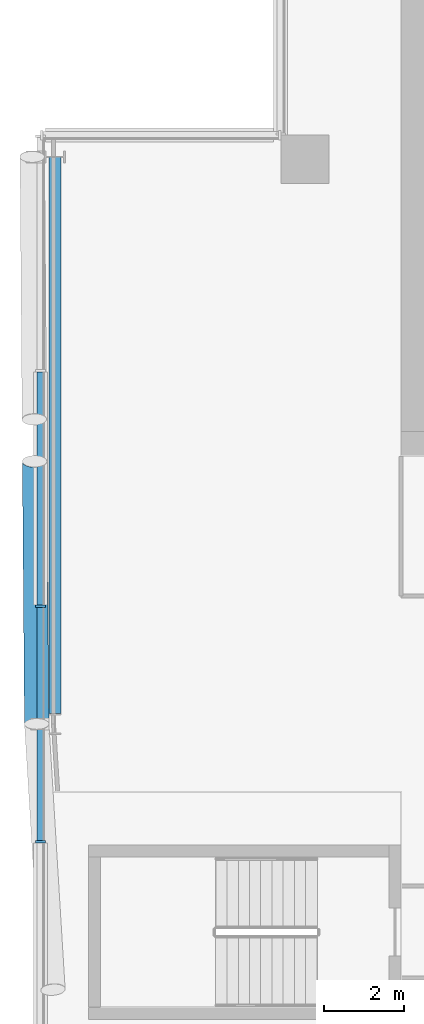
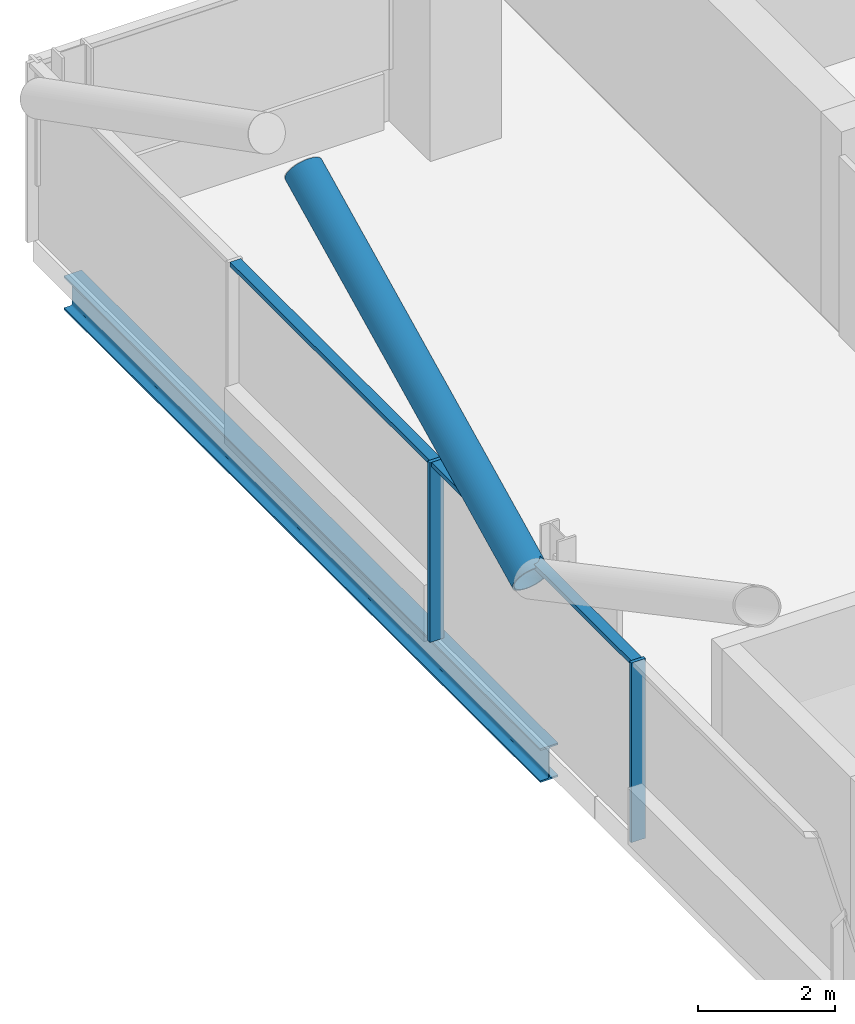
# One storey, part 7 of 28: 5 members, 1 beam, 1 element without a shape of its own.
"""IFC4 building model written with IfcOpenShell, lengths in metres."""

from ifc_helpers import new_model, si_unit, direction, frame, origin, origin_2d, place, context, subcontext, project, spatial, rectangle, hollow_circle, i_section, extrude, material, material_profile, profile_set, type_object, element, aggregate, save


model = new_model("IFC4")

# Units and contexts
model_context = context("Model", 3, precision=1e-05, world=origin(), true_north=direction((0.0, 1.0)))
body_context = subcontext(model_context, "Body", "Model", "MODEL_VIEW")
ifc_project = project(units=[si_unit("LENGTHUNIT", "METRE"), si_unit("AREAUNIT", "SQUARE_METRE"), si_unit("VOLUMEUNIT", "CUBIC_METRE"), si_unit("PLANEANGLEUNIT", "RADIAN"), si_unit("MASSUNIT", "GRAM", prefix="KILO")], contexts=[model_context])

# Site, building, storey
site_placement = place(None, origin())
site = spatial("IfcSite", under=ifc_project, at=site_placement, CompositionType="ELEMENT")
building_placement = place(site_placement, origin())
building = spatial("IfcBuilding", under=site, at=building_placement, Name="Wharfspan Tower", CompositionType="ELEMENT")
storey_placement = place(building_placement, frame((0.0, 0.0, 250.300049)))
storey = spatial("IfcBuildingStorey", under=building, at=storey_placement, Name="L63", CompositionType="ELEMENT", Elevation=250.300049)

# Beam
ifc_material_1 = material(Name="Steel S355J2", Category="steel")
ifc_material_profile_1 = material_profile(ifc_material_1, i_section(OverallWidth=0.300049, OverallDepth=0.600098, WebThickness=0.015381, FlangeThickness=0.030029, FilletRadius=0.0271, at=origin_2d()))
ifc_profile_set_1 = profile_set([ifc_material_profile_1], Name="Steel S355J2")
beam_type = type_object("IfcBeamType", Name="Edge beam HEB 600", PredefinedType="SPANDREL", material=ifc_profile_set_1)
beam_placement = place(storey_placement, frame((14.356934, 41.453125, -0.699951), z_axis=(0.000211, -1.0, 0.0), x_axis=(1.0, 0.000211, 0.0)))
element("IfcBeam", 1, at=beam_placement, inside=storey, type_object=beam_type, Name="Edge beam W L63 PNRW-H.1 to PW.1", PredefinedType="SPANDREL", context=body_context, shape_type="SweptSolid", body=[
    extrude(i_section(OverallWidth=0.300049, OverallDepth=0.600098, WebThickness=0.015381, FlangeThickness=0.030029, FilletRadius=0.0271, at=origin_2d()), origin(), (0.0, 0.0, 1.0), 13.89502),
])

# Curtain wall, members
ifc_material_2 = material(Name="Aluminium 6063-T6", Category="aluminium")
curtain_wall_type = type_object("IfcCurtainWallType", Name="CURTAIN WALL PROW AND END", PredefinedType="NOTDEFINED", material=ifc_material_2)
curtain_wall_placement = place(storey_placement, origin())
curtain_wall = element("IfcCurtainWall", 2, at=curtain_wall_placement, inside=storey, type_object=curtain_wall_type, Name="Curtain wall W", PredefinedType="NOTDEFINED")
ifc_material_profile_2 = material_profile(ifc_material_2, rectangle(XDim=0.23999, YDim=0.060059, at=origin_2d()))
ifc_profile_set_2 = profile_set([ifc_material_profile_2], Name="Aluminium 6063-T6")
member_type_1 = type_object("IfcMemberType", Name="MULLION PROW AND END 60x240", PredefinedType="MULLION", material=ifc_profile_set_2)
member_1_placement = place(storey_placement, frame((14.0, 30.23999, 0.0), z_axis=(0.0, 0.0, 1.0), x_axis=(1.0, 0.0, 0.0)))
member_1 = element("IfcMember", 3, at=member_1_placement, type_object=member_type_1, Name="Curtain wall W mullion 3", PredefinedType="MULLION", context=body_context, shape_type="SweptSolid", body=[
    extrude(rectangle(XDim=0.23999, YDim=0.060059, at=origin_2d()), origin(), (0.0, 0.0, 1.0), 3.199951),
])
member_2_placement = place(storey_placement, frame((14.0, 24.360107, 0.0), z_axis=(0.0, 0.0, 1.0), x_axis=(1.0, 0.0, 0.0)))
member_2 = element("IfcMember", 4, at=member_2_placement, type_object=member_type_1, Name="Curtain wall W mullion 4", PredefinedType="MULLION", context=body_context, shape_type="SweptSolid", body=[
    extrude(rectangle(XDim=0.23999, YDim=0.060059, at=origin_2d()), origin(), (0.0, 0.0, 1.0), 3.199951),
])

# Member
ifc_material_3 = material(Name="Steel S460NH", Category="steel")
ifc_material_profile_3 = material_profile(ifc_material_3, hollow_circle(Radius=0.304932, WallThickness=0.024902, at=origin_2d()))
ifc_profile_set_3 = profile_set([ifc_material_profile_3], Name="Steel S460NH")
member_type_2 = type_object("IfcMemberType", Name="Mega brace CHS 610x25", PredefinedType="BRACE", material=ifc_profile_set_3)
member_3_placement = place(storey_placement, frame((13.905029, 27.300049, 2.899902), z_axis=(-0.007044, 0.891361, 0.45324), x_axis=(-0.999973, -0.007904, 3e-06)))
element("IfcMember", 5, at=member_3_placement, inside=storey, type_object=member_type_2, Name="Mega brace W3 L64 part 3", PredefinedType="BRACE", context=body_context, shape_type="SweptSolid", body=[
    extrude(hollow_circle(Radius=0.304932, WallThickness=0.024902, at=origin_2d()), origin(), (0.0, 0.0, 1.0), 7.347168),
])

ifc_material_profile_4 = material_profile(ifc_material_2, rectangle(XDim=0.179932, YDim=0.080078, at=origin_2d()))
ifc_profile_set_4 = profile_set([ifc_material_profile_4], Name="Aluminium 6063-T6")
member_type_3 = type_object("IfcMemberType", Name="TRANSOM PROW AND END 80x180", PredefinedType="USERDEFINED", material=ifc_profile_set_4)
member_4_placement = place(storey_placement, frame((14.0, 36.090088, 3.159912), z_axis=(0.0, -1.0, 0.0), x_axis=(1.0, 0.0, 0.0)))
member_4 = element("IfcMember", 6, at=member_4_placement, type_object=member_type_3, Name="Curtain wall W transom 2", ObjectType="TRANSOM", PredefinedType="USERDEFINED", context=body_context, shape_type="SweptSolid", body=[
    extrude(rectangle(XDim=0.179932, YDim=0.080078, at=origin_2d()), origin(), (0.0, 0.0, 1.0), 5.820068),
])

member_5_placement = place(storey_placement, frame((14.0, 30.209961, 3.159912), z_axis=(0.0, -1.0, 0.0), x_axis=(1.0, 0.0, 0.0)))
member_5 = element("IfcMember", 7, at=member_5_placement, type_object=member_type_3, Name="Curtain wall W transom 3", ObjectType="TRANSOM", PredefinedType="USERDEFINED", context=body_context, shape_type="SweptSolid", body=[
    extrude(rectangle(XDim=0.179932, YDim=0.080078, at=origin_2d()), origin(), (0.0, 0.0, 1.0), 5.820068),
])

aggregate(curtain_wall, [member_1, member_2, member_4, member_5])

save(model, "model.ifc")
